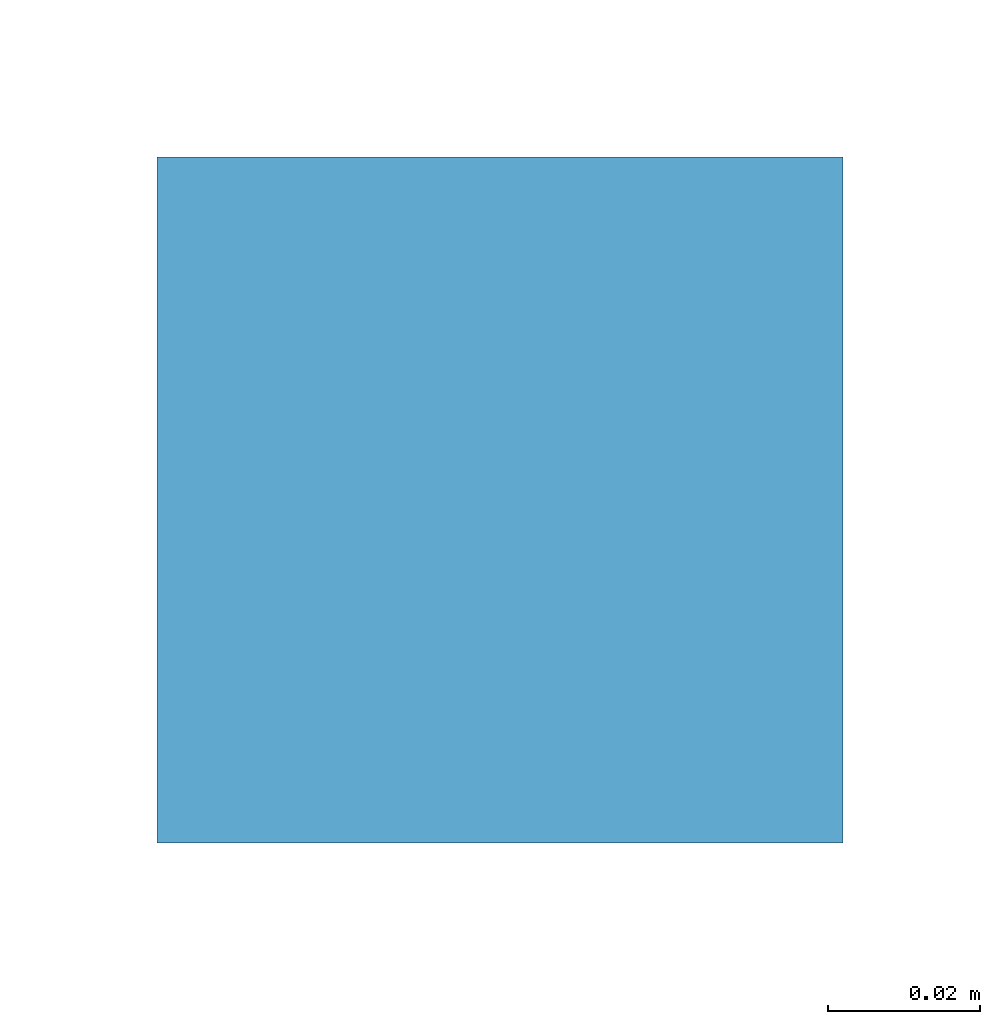
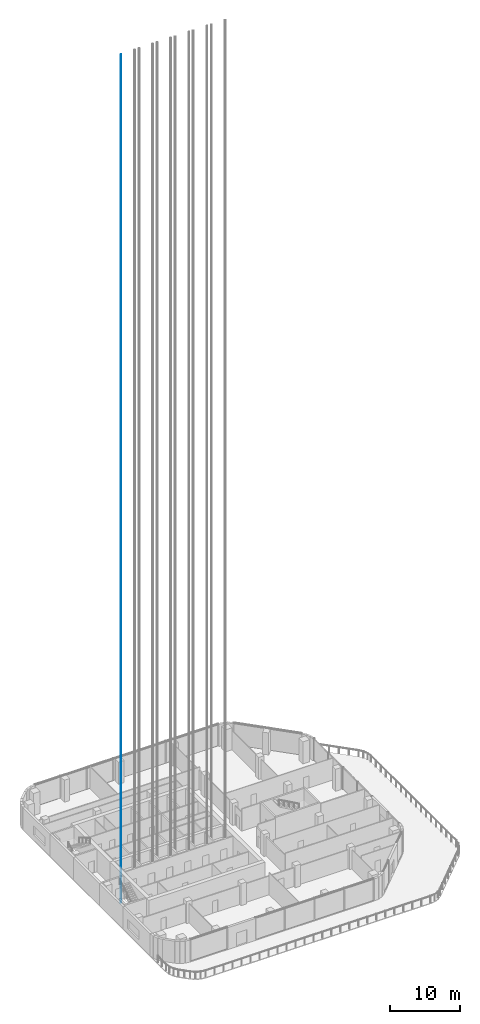
# One storey, part 5 of 29: 1 member.
"""IFC4 building model written with IfcOpenShell, lengths in metres."""

import ifcopenshell
import ifcopenshell.guid

model = None  # the IFC model being written
_history = None  # IfcOwnerHistory: only IFC2X3 demands one
_inside = {}  # id of a spatial element -> (the spatial element, [elements in it])
_under = {}  # id of a project, library or spatial element -> (it, [spatial elements below it])
_declared = {}  # id of a project -> (the project, [libraries it declares])
_typed = {}  # id of a type object -> (the type object, [elements of that type])
_made_of = {}  # id of a material, layer set ... -> (it, [elements and type objects made of it])


def new_model(schema):
    """Start an empty IFC model of exactly this schema.

    Asked for "IFC4X3", IfcOpenShell would pick the latest addendum, in which some entities
    have other attributes; the version numbers below select the first issue.
    IFC2X3 requires an IfcOwnerHistory on every rooted entity: one is made here for all.
    """
    global model, _history
    if schema == "IFC4X3":
        model = ifcopenshell.file(schema_version=(4, 3, 0, 0))
    else:
        model = ifcopenshell.file(schema=schema)
    _inside.clear()
    _under.clear()
    _declared.clear()
    _typed.clear()
    _made_of.clear()
    _history = None
    if model.schema == "IFC2X3":
        org = make("IfcOrganization", Name="unknown")
        user = make(
            "IfcPersonAndOrganization",
            ThePerson=make("IfcPerson", FamilyName="unknown"),
            TheOrganization=org,
        )
        app = make(
            "IfcApplication",
            ApplicationDeveloper=org,
            Version="unknown",
            ApplicationFullName="unknown",
            ApplicationIdentifier="unknown",
        )
        _history = make(
            "IfcOwnerHistory",
            OwningUser=user,
            OwningApplication=app,
            ChangeAction="ADDED",
            CreationDate=0,
        )
    return model


def make(cls, **values):
    """One entity of the class cls with the attributes given. An attribute that is None is left unset."""
    return model.create_entity(
        cls, **{name: value for name, value in values.items() if value is not None}
    )


def rooted(cls, **values):
    """An entity with a GlobalId (a new one), such as an element, a storey or a relation."""
    return make(cls, GlobalId=ifcopenshell.guid.new(), OwnerHistory=_history, **values)


def si_unit(unit_type, name, prefix=None):
    """IfcSIUnit, for example si_unit("LENGTHUNIT", "METRE", prefix="MILLI")."""
    return make("IfcSIUnit", UnitType=unit_type, Prefix=prefix, Name=name)


def assignment(units):
    """IfcUnitAssignment: the units of a project."""
    return None if units is None else make("IfcUnitAssignment", Units=units)


def point(xyz):
    """IfcCartesianPoint."""
    return None if xyz is None else make("IfcCartesianPoint", Coordinates=xyz)


def direction(xyz):
    """IfcDirection."""
    return None if xyz is None else make("IfcDirection", DirectionRatios=xyz)


def frame(location, z_axis=None, x_axis=None):
    """IfcAxis2Placement3D, a coordinate frame: its origin and axes. An axis left out is left unset."""
    return make(
        "IfcAxis2Placement3D",
        Location=point(location),
        Axis=direction(z_axis),
        RefDirection=direction(x_axis),
    )


def frame_2d(location, x_axis=None):
    """IfcAxis2Placement2D, a coordinate frame in the plane: its origin and x axis."""
    return make(
        "IfcAxis2Placement2D", Location=point(location), RefDirection=direction(x_axis)
    )


def origin():
    """The frame at (0, 0, 0) with its axes left unset."""
    return frame((0.0, 0.0, 0.0))


def origin_2d():
    """The frame at (0, 0) in the plane with its x axis left unset."""
    return frame_2d((0.0, 0.0))


def place(relative_to, where):
    """IfcLocalPlacement: puts the frame where relative to a parent placement (None: the world)."""
    return make(
        "IfcLocalPlacement", PlacementRelTo=relative_to, RelativePlacement=where
    )


def context(
    kind, dimensions, precision=None, world=None, true_north=None, identifier=None
):
    """IfcGeometricRepresentationContext, for example the 3D "Model" context."""
    return make(
        "IfcGeometricRepresentationContext",
        ContextIdentifier=identifier,
        ContextType=kind,
        CoordinateSpaceDimension=dimensions,
        Precision=precision,
        WorldCoordinateSystem=world,
        TrueNorth=true_north,
    )


def subcontext(parent, identifier, kind, view, scale=None):
    """IfcGeometricRepresentationSubContext, for example "Body" below "Model"."""
    return make(
        "IfcGeometricRepresentationSubContext",
        ContextIdentifier=identifier,
        ContextType=kind,
        ParentContext=parent,
        TargetScale=scale,
        TargetView=view,
    )


def project(units=None, contexts=None):
    """IfcProject with its units and contexts."""
    return rooted(
        "IfcProject",
        Name="project",
        RepresentationContexts=contexts,
        UnitsInContext=assignment(units),
    )


def spatial(cls, under=None, at=None, **own):
    """A site, building, storey or space (cls), placed at a placement, below another one or the project."""
    s = rooted(cls, ObjectPlacement=at, **own)
    if under is not None:
        _under.setdefault(under.id(), (under, []))[1].append(s)
    return s


def profile(cls, at=None, kind="AREA", **sizes):
    """A parametric profile (cls). Its sizes go by their IFC names, for example OverallWidth=200.0."""
    return make(cls, ProfileType=kind, Position=at, **sizes)


def rectangle(**sizes):
    """IfcRectangleProfileDef."""
    return profile("IfcRectangleProfileDef", **sizes)


def extrude(swept, where, along, depth):
    """IfcExtrudedAreaSolid: the profile swept, set in the frame where, extruded along a direction by depth."""
    return make(
        "IfcExtrudedAreaSolid",
        SweptArea=swept,
        Position=where,
        ExtrudedDirection=direction(along),
        Depth=depth,
    )


def shape(context_of_items, identifier, shape_type, items):
    """IfcShapeRepresentation: the items that make up one representation, for example the "Body"."""
    return make(
        "IfcShapeRepresentation",
        ContextOfItems=context_of_items,
        RepresentationIdentifier=identifier,
        RepresentationType=shape_type,
        Items=items,
    )


def material(Name=None, Category=None):
    """IfcMaterial."""
    return make("IfcMaterial", Name=Name, Category=Category)


def material_profile(
    of_material, cross_section, Name=None, Category=None, Priority=None
):
    """IfcMaterialProfile: a cross section and its material."""
    return make(
        "IfcMaterialProfile",
        Name=Name,
        Material=of_material,
        Profile=cross_section,
        Priority=Priority,
        Category=Category,
    )


def profile_set(profiles, Name=None, composite=None):
    """IfcMaterialProfileSet."""
    return make(
        "IfcMaterialProfileSet",
        Name=Name,
        MaterialProfiles=profiles,
        CompositeProfile=composite,
    )


def made_of(thing, what):
    """Note that an element or type object is made of a material, layer set ...; save() writes the relation."""
    if what is not None:
        _made_of.setdefault(what.id(), (what, []))[1].append(thing)
    return thing


def type_object(cls, material=None, **own):
    """A type object (cls), such as IfcWallType, which elements share."""
    return made_of(rooted(cls, **own), material)


def element(
    cls,
    number,
    at=None,
    inside=None,
    cuts=None,
    type_object=None,
    material=None,
    context=None,
    identifier="Body",
    shape_type=None,
    held_by="IfcProductDefinitionShape",
    body=None,
    shapes=None,
    **own,
):
    """One element of the class cls, such as IfcWall. Its Tag is "e" and its number.

    at: its placement. inside: the storey or other place that contains it. cuts: it is an
    opening in that element (IfcRelVoidsElement). A single representation is given by context,
    identifier, shape_type and body (its items); several are given by shapes. held_by: the class
    of the entity that holds the representations. save() writes the other relations.
    """
    e = rooted(cls, Tag="e%d" % number, ObjectPlacement=at, **own)
    if body is not None:
        shapes = [shape(context, identifier, shape_type, body)]
    if shapes is not None:
        e.Representation = make(held_by, Representations=shapes)
    if inside is not None:
        _inside.setdefault(inside.id(), (inside, []))[1].append(e)
    if cuts is not None:
        rooted(
            "IfcRelVoidsElement", RelatingBuildingElement=cuts, RelatedOpeningElement=e
        )
    if type_object is not None:
        _typed.setdefault(type_object.id(), (type_object, []))[1].append(e)
    return made_of(e, material)


def aggregate(whole, parts):
    """IfcRelAggregates: a whole, such as a stair, and the parts it consists of."""
    return rooted("IfcRelAggregates", RelatingObject=whole, RelatedObjects=parts)


def save(model, path):
    """Write the relations noted so far, then the file.

    IfcRelAggregates (storeys below a building ...), IfcRelContainedInSpatialStructure (elements
    in a storey), IfcRelDefinesByType, IfcRelAssociatesMaterial and IfcRelDeclares: one each for
    every whole, place, type object, material and project.
    """
    for whole, parts in _under.values():
        aggregate(whole, parts)
    for where, things in _inside.values():
        rooted(
            "IfcRelContainedInSpatialStructure",
            RelatedElements=things,
            RelatingStructure=where,
        )
    for kind, things in _typed.values():
        rooted("IfcRelDefinesByType", RelatedObjects=things, RelatingType=kind)
    for what, things in _made_of.values():
        rooted("IfcRelAssociatesMaterial", RelatedObjects=things, RelatingMaterial=what)
    for by, libraries in _declared.values():
        rooted("IfcRelDeclares", RelatingContext=by, RelatedDefinitions=libraries)
    model.write(path)


model = new_model("IFC4")

# Units and contexts
model_context = context("Model", 3, precision=1e-05, world=origin(), true_north=direction((0.0, 1.0)))
body_context = subcontext(model_context, "Body", "Model", "MODEL_VIEW")
ifc_project = project(units=[si_unit("LENGTHUNIT", "METRE"), si_unit("AREAUNIT", "SQUARE_METRE"), si_unit("VOLUMEUNIT", "CUBIC_METRE"), si_unit("PLANEANGLEUNIT", "RADIAN"), si_unit("MASSUNIT", "GRAM", prefix="KILO")], contexts=[model_context])

# Site, building, storey
site_placement = place(None, origin())
site = spatial("IfcSite", under=ifc_project, at=site_placement, CompositionType="ELEMENT")
building_placement = place(site_placement, origin())
building = spatial("IfcBuilding", under=site, at=building_placement, Name="Cinnabar Reach Civic Tower", CompositionType="ELEMENT")
storey_placement = place(building_placement, frame((0.0, 0.0, 149.0)))
storey = spatial("IfcBuildingStorey", under=building, at=storey_placement, Name="L35", CompositionType="ELEMENT", Elevation=149.0)

# Member
ifc_material = material(Name="Steel Q355B", Category="steel")
ifc_material_profile = material_profile(ifc_material, rectangle(XDim=0.09, YDim=0.09, at=origin_2d()), Name="T1 lift guide rail")
ifc_profile_set = profile_set([ifc_material_profile], Name="Steel Q355B")
member_type = type_object("IfcMemberType", Name="T1 lift guide rail", PredefinedType="USERDEFINED", material=ifc_profile_set)
member_placement = place(storey_placement, frame((4.87, 30.0, -2.5), z_axis=(0.0, 0.0, 1.0), x_axis=(1.0, 0.0, 0.0)))
element("IfcMember", 1, at=member_placement, inside=storey, type_object=member_type, Name="T1-HR1 guide rail 1", ObjectType="GUIDE RAIL", PredefinedType="USERDEFINED", context=body_context, shape_type="SweptSolid", body=[
    extrude(rectangle(XDim=0.09, YDim=0.09, at=origin_2d()), origin(), (0.0, 0.0, 1.0), 148.5),
])

save(model, "model.ifc")
